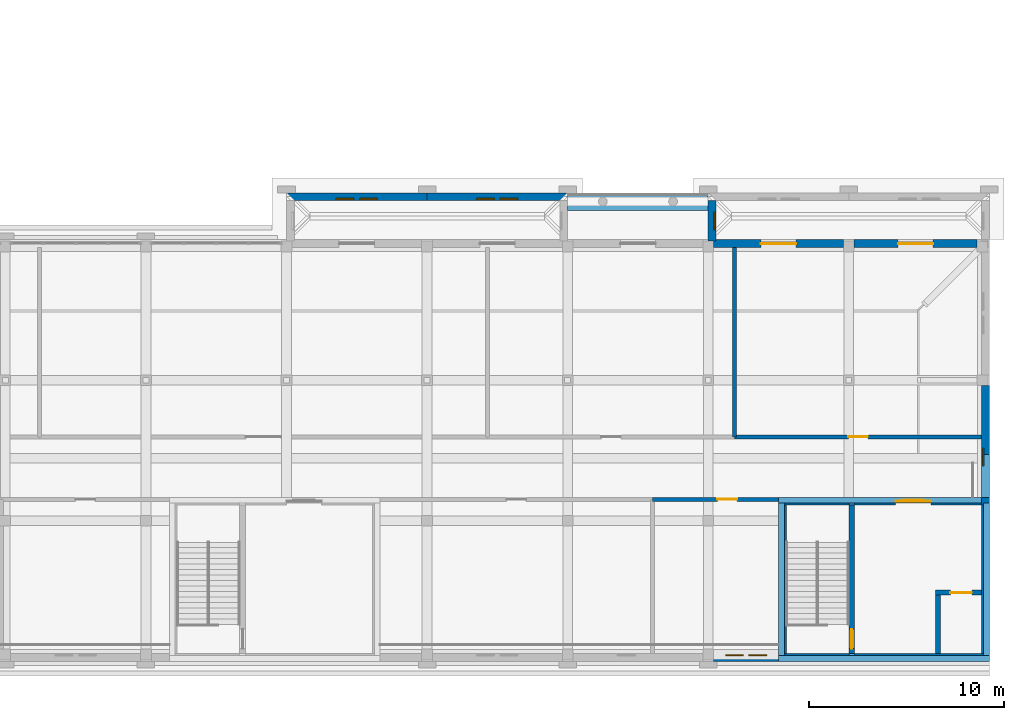
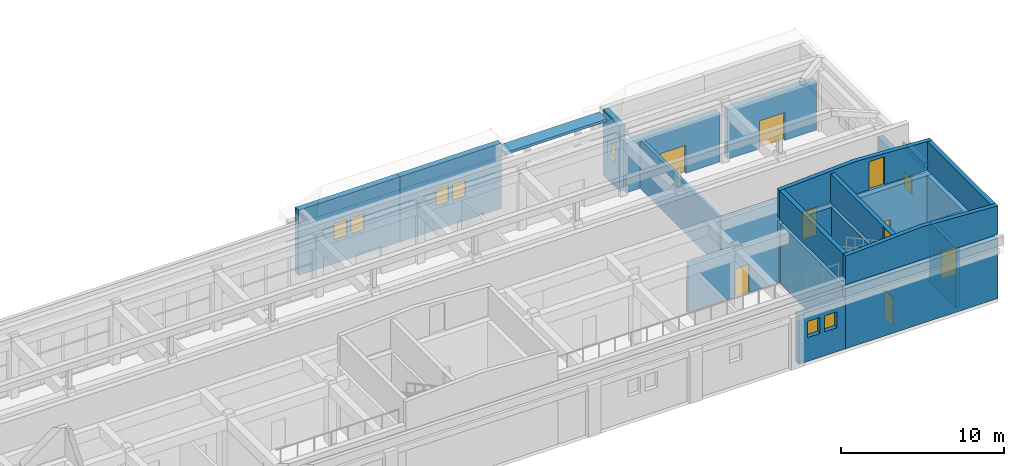
# One storey, part 38 of 48: 24 walls, 9 doors, 8 windows, 17 openings.
"""IFC4 building model written with IfcOpenShell, lengths in metres."""

from ifc_helpers import new_model, si_unit, direction, frame, frame_2d, origin, place, context, subcontext, project, spatial, polyline, rectangle, outline, extrude, material, layer, layer_set, type_object, element, fill, save


model = new_model("IFC4")

# Units and contexts
model_context = context("Model", 3, precision=1e-05, world=origin(), true_north=direction((0.0, 1.0)))
body_context = subcontext(model_context, "Body", "Model", "MODEL_VIEW")
ifc_project = project(units=[si_unit("LENGTHUNIT", "METRE"), si_unit("AREAUNIT", "SQUARE_METRE"), si_unit("VOLUMEUNIT", "CUBIC_METRE"), si_unit("PLANEANGLEUNIT", "RADIAN"), si_unit("MASSUNIT", "GRAM", prefix="KILO")], contexts=[model_context])

# Site, building, storey
site_placement = place(None, origin())
site = spatial("IfcSite", under=ifc_project, at=site_placement, CompositionType="ELEMENT")
building_placement = place(site_placement, origin())
building = spatial("IfcBuilding", under=site, at=building_placement, Name="Alderwick Market Hall", CompositionType="ELEMENT")
storey_placement = place(building_placement, frame((0.0, 0.0, 14.39990234375)))
storey = spatial("IfcBuildingStorey", under=building, at=storey_placement, Name="L02", CompositionType="ELEMENT", Elevation=14.39990234375)

# Wall, opening, door
ifc_material_1 = material(Name="Face brick", Category="masonry")
ifc_layer_1 = layer(ifc_material_1, 0.39990234375)
ifc_layer_set_1 = layer_set([ifc_layer_1], Name="Face brick")
wall_type_1 = type_object("IfcWallType", Name="C Brick Pier Wall 400", PredefinedType="SOLIDWALL", material=ifc_layer_set_1)
wall_1_placement = place(storey_placement, frame((216.27490234375, 28.60009765625, 0.0), z_axis=(0.0, 0.0, 1.0), x_axis=(1.0, 0.0, 0.0)))
wall_1 = element("IfcWall", 1, at=wall_1_placement, inside=storey, type_object=wall_type_1, Name="C.wall.L02.fac.front.10", PredefinedType="SOLIDWALL", context=body_context, shape_type="SweptSolid", body=[
    extrude(rectangle(XDim=6.650146484375, YDim=0.39990234375, at=frame_2d((3.3251953125, 0.0))), origin(), (0.0, 0.0, 1.0), 3.7001953125),
])
opening_1_placement = place(wall_1_placement, frame((2.425048828125, 0.0, 0.0)))
opening_1 = element("IfcOpeningElement", 2, at=opening_1_placement, cuts=wall_1, Name="Opening C-D017", PredefinedType="OPENING", context=body_context, shape_type="SweptSolid", body=[
    extrude(rectangle(XDim=1.800048828125, YDim=2.10009765625, at=frame_2d((0.89990234375, 1.050048828125))), frame((0.0, 0.2099609375, 0.0), z_axis=(0.0, -1.0, 0.0), x_axis=(1.0, 0.0, 0.0)), (0.0, 0.0, 1.0), 0.419921875),
])
ifc_material_2 = material(Name="Timber, solid core", Category="wood")
door_type_1 = type_object("IfcDoorType", Name="C Door Pair 1800x2100", OperationType="NOTDEFINED", PredefinedType="DOOR", material=ifc_material_2)
door_1_placement = place(opening_1_placement, origin())
door_1 = element("IfcDoor", 3, at=door_1_placement, inside=storey, type_object=door_type_1, Name="C.door.L02.017", OperationType="NOTDEFINED", OverallHeight=2.10009765625, OverallWidth=1.800048828125, PredefinedType="DOOR", context=body_context, shape_type="SweptSolid", body=[
    extrude(rectangle(XDim=1.800048828125, YDim=2.10009765625, at=frame_2d((0.89990234375, 1.050048828125))), frame((0.0, 0.02490234375, 0.0), z_axis=(0.0, -1.0, 0.0), x_axis=(1.0, 0.0, 0.0)), (0.0, 0.0, 1.0), 0.050048828125),
])
fill(opening_1, door_1)

wall_2_placement = place(storey_placement, frame((223.47509765625, 28.60009765625, 0.0), z_axis=(0.0, 0.0, 1.0), x_axis=(1.0, 0.0, 0.0)))
wall_2 = element("IfcWall", 4, at=wall_2_placement, inside=storey, type_object=wall_type_1, Name="C.wall.L02.fac.front.11", PredefinedType="SOLIDWALL", context=body_context, shape_type="SweptSolid", body=[
    extrude(rectangle(XDim=6.2998046875, YDim=0.39990234375, at=frame_2d((3.14990234375, 0.0))), origin(), (0.0, 0.0, 1.0), 3.7001953125),
])
opening_2_placement = place(wall_2_placement, frame((2.25, 0.0, 0.0)))
opening_2 = element("IfcOpeningElement", 5, at=opening_2_placement, cuts=wall_2, Name="Opening C-D018", PredefinedType="OPENING", context=body_context, shape_type="SweptSolid", body=[
    extrude(rectangle(XDim=1.800048828125, YDim=2.10009765625, at=frame_2d((0.89990234375, 1.050048828125))), frame((0.0, 0.2099609375, 0.0), z_axis=(0.0, -1.0, 0.0), x_axis=(1.0, 0.0, 0.0)), (0.0, 0.0, 1.0), 0.419921875),
])
door_2_placement = place(opening_2_placement, origin())
door_2 = element("IfcDoor", 6, at=door_2_placement, inside=storey, type_object=door_type_1, Name="C.door.L02.018", OperationType="NOTDEFINED", OverallHeight=2.10009765625, OverallWidth=1.800048828125, PredefinedType="DOOR", context=body_context, shape_type="SweptSolid", body=[
    extrude(rectangle(XDim=1.800048828125, YDim=2.10009765625, at=frame_2d((0.89990234375, 1.050048828125))), frame((0.0, 0.02490234375, 0.0), z_axis=(0.0, -1.0, 0.0), x_axis=(1.0, 0.0, 0.0)), (0.0, 0.0, 1.0), 0.050048828125),
])
fill(opening_2, door_2)

# Wall, openings, windows
wall_3_placement = place(storey_placement, frame((219.60009765625, 7.39990234375, 0.0), z_axis=(0.0, 0.0, 1.0), x_axis=(-1.0, 0.0, 0.0)))
wall_3 = element("IfcWall", 7, at=wall_3_placement, inside=storey, type_object=wall_type_1, Name="C.wall.L02.fac.back.10", PredefinedType="SOLIDWALL", context=body_context, shape_type="SweptSolid", body=[
    extrude(rectangle(XDim=3.3251953125, YDim=0.39990234375, at=frame_2d((1.66259765625, 0.0))), origin(), (0.0, 0.0, 1.0), 3.7001953125),
])
opening_3_placement = place(wall_3_placement, frame((0.612548828125, 0.0, 1.800048828125)))
opening_3 = element("IfcOpeningElement", 8, at=opening_3_placement, cuts=wall_3, Name="Opening C-W065", PredefinedType="OPENING", context=body_context, shape_type="SweptSolid", body=[
    extrude(rectangle(XDim=0.89990234375, YDim=1.199951171875, at=frame_2d((0.449951171875, 0.60009765625))), frame((0.0, 0.2099609375, 0.0), z_axis=(0.0, -1.0, 0.0), x_axis=(1.0, 0.0, 0.0)), (0.0, 0.0, 1.0), 0.419921875),
])
opening_4_placement = place(wall_3_placement, frame((1.8125, 0.0, 1.800048828125)))
opening_4 = element("IfcOpeningElement", 9, at=opening_4_placement, cuts=wall_3, Name="Opening C-W066", PredefinedType="OPENING", context=body_context, shape_type="SweptSolid", body=[
    extrude(rectangle(XDim=0.89990234375, YDim=1.199951171875, at=frame_2d((0.449951171875, 0.60009765625))), frame((0.0, 0.2099609375, 0.0), z_axis=(0.0, -1.0, 0.0), x_axis=(1.0, 0.0, 0.0)), (0.0, 0.0, 1.0), 0.419921875),
])
ifc_material_3 = material(Name="Aluminium frame, double glazing", Category="aluminium")
window_type = type_object("IfcWindowType", Name="C Paired Attic Window 900x1200", PartitioningType="SINGLE_PANEL", PredefinedType="WINDOW", material=ifc_material_3)
window_1_placement = place(opening_3_placement, origin())
window_1 = element("IfcWindow", 10, at=window_1_placement, inside=storey, type_object=window_type, Name="C.win.L02.065", OverallHeight=1.199951171875, OverallWidth=0.89990234375, PartitioningType="SINGLE_PANEL", PredefinedType="WINDOW", context=body_context, shape_type="SweptSolid", body=[
    extrude(rectangle(XDim=0.89990234375, YDim=1.199951171875, at=frame_2d((0.449951171875, 0.60009765625))), frame((0.0, -0.090087890625, 0.0), z_axis=(0.0, -1.0, 0.0), x_axis=(1.0, 0.0, 0.0)), (0.0, 0.0, 1.0), 0.06005859375),
])
fill(opening_3, window_1)
window_2_placement = place(opening_4_placement, origin())
window_2 = element("IfcWindow", 11, at=window_2_placement, inside=storey, type_object=window_type, Name="C.win.L02.066", OverallHeight=1.199951171875, OverallWidth=0.89990234375, PartitioningType="SINGLE_PANEL", PredefinedType="WINDOW", context=body_context, shape_type="SweptSolid", body=[
    extrude(rectangle(XDim=0.89990234375, YDim=1.199951171875, at=frame_2d((0.449951171875, 0.60009765625))), frame((0.0, -0.090087890625, 0.0), z_axis=(0.0, -1.0, 0.0), x_axis=(1.0, 0.0, 0.0)), (0.0, 0.0, 1.0), 0.06005859375),
])
fill(opening_4, window_2)

wall_4_placement = place(storey_placement, frame((194.39990234375, 31.0, 0.0), z_axis=(0.0, 0.0, 1.0), x_axis=(1.0, 0.0, 0.0)))
wall_4 = element("IfcWall", 12, at=wall_4_placement, inside=storey, type_object=wall_type_1, Name="C.wall.L02.pav1.front.01", PredefinedType="SOLIDWALL", context=body_context, shape_type="SweptSolid", body=[
    extrude(rectangle(XDim=7.2001953125, YDim=0.39990234375, at=frame_2d((3.60009765625, 0.0))), origin(), (0.0, 0.0, 1.0), 4.892578125),
])
opening_5_placement = place(wall_4_placement, frame((2.550048828125, 0.0, 1.800048828125)))
opening_5 = element("IfcOpeningElement", 13, at=opening_5_placement, cuts=wall_4, Name="Opening C-W082", PredefinedType="OPENING", context=body_context, shape_type="SweptSolid", body=[
    extrude(rectangle(XDim=0.89990234375, YDim=1.199951171875, at=frame_2d((0.449951171875, 0.60009765625))), frame((0.0, 0.2099609375, 0.0), z_axis=(0.0, -1.0, 0.0), x_axis=(1.0, 0.0, 0.0)), (0.0, 0.0, 1.0), 0.419921875),
])
opening_6_placement = place(wall_4_placement, frame((3.75, 0.0, 1.800048828125)))
opening_6 = element("IfcOpeningElement", 14, at=opening_6_placement, cuts=wall_4, Name="Opening C-W083", PredefinedType="OPENING", context=body_context, shape_type="SweptSolid", body=[
    extrude(rectangle(XDim=0.89990234375, YDim=1.199951171875, at=frame_2d((0.449951171875, 0.60009765625))), frame((0.0, 0.2099609375, 0.0), z_axis=(0.0, -1.0, 0.0), x_axis=(1.0, 0.0, 0.0)), (0.0, 0.0, 1.0), 0.419921875),
])
window_3_placement = place(opening_5_placement, origin())
window_3 = element("IfcWindow", 15, at=window_3_placement, inside=storey, type_object=window_type, Name="C.win.L02.082", OverallHeight=1.199951171875, OverallWidth=0.89990234375, PartitioningType="SINGLE_PANEL", PredefinedType="WINDOW", context=body_context, shape_type="SweptSolid", body=[
    extrude(rectangle(XDim=0.89990234375, YDim=1.199951171875, at=frame_2d((0.449951171875, 0.60009765625))), frame((0.0, -0.090087890625, 0.0), z_axis=(0.0, -1.0, 0.0), x_axis=(1.0, 0.0, 0.0)), (0.0, 0.0, 1.0), 0.06005859375),
])
fill(opening_5, window_3)
window_4_placement = place(opening_6_placement, origin())
window_4 = element("IfcWindow", 16, at=window_4_placement, inside=storey, type_object=window_type, Name="C.win.L02.083", OverallHeight=1.199951171875, OverallWidth=0.89990234375, PartitioningType="SINGLE_PANEL", PredefinedType="WINDOW", context=body_context, shape_type="SweptSolid", body=[
    extrude(rectangle(XDim=0.89990234375, YDim=1.199951171875, at=frame_2d((0.449951171875, 0.60009765625))), frame((0.0, -0.090087890625, 0.0), z_axis=(0.0, -1.0, 0.0), x_axis=(1.0, 0.0, 0.0)), (0.0, 0.0, 1.0), 0.06005859375),
])
fill(opening_6, window_4)

wall_5_placement = place(storey_placement, frame((201.60009765625, 31.0, 0.0), z_axis=(0.0, 0.0, 1.0), x_axis=(1.0, 0.0, 0.0)))
wall_5 = element("IfcWall", 17, at=wall_5_placement, inside=storey, type_object=wall_type_1, Name="C.wall.L02.pav1.front.02", PredefinedType="SOLIDWALL", context=body_context, shape_type="SweptSolid", body=[
    extrude(rectangle(XDim=7.199951171875, YDim=0.39990234375, at=frame_2d((3.60009765625, 0.0))), origin(), (0.0, 0.0, 1.0), 4.892578125),
])
opening_7_placement = place(wall_5_placement, frame((2.550048828125, 0.0, 1.800048828125)))
opening_7 = element("IfcOpeningElement", 18, at=opening_7_placement, cuts=wall_5, Name="Opening C-W084", PredefinedType="OPENING", context=body_context, shape_type="SweptSolid", body=[
    extrude(rectangle(XDim=0.89990234375, YDim=1.199951171875, at=frame_2d((0.449951171875, 0.60009765625))), frame((0.0, 0.2099609375, 0.0), z_axis=(0.0, -1.0, 0.0), x_axis=(1.0, 0.0, 0.0)), (0.0, 0.0, 1.0), 0.419921875),
])
opening_8_placement = place(wall_5_placement, frame((3.75, 0.0, 1.800048828125)))
opening_8 = element("IfcOpeningElement", 19, at=opening_8_placement, cuts=wall_5, Name="Opening C-W085", PredefinedType="OPENING", context=body_context, shape_type="SweptSolid", body=[
    extrude(rectangle(XDim=0.89990234375, YDim=1.199951171875, at=frame_2d((0.449951171875, 0.60009765625))), frame((0.0, 0.2099609375, 0.0), z_axis=(0.0, -1.0, 0.0), x_axis=(1.0, 0.0, 0.0)), (0.0, 0.0, 1.0), 0.419921875),
])
window_5_placement = place(opening_7_placement, origin())
window_5 = element("IfcWindow", 20, at=window_5_placement, inside=storey, type_object=window_type, Name="C.win.L02.084", OverallHeight=1.199951171875, OverallWidth=0.89990234375, PartitioningType="SINGLE_PANEL", PredefinedType="WINDOW", context=body_context, shape_type="SweptSolid", body=[
    extrude(rectangle(XDim=0.89990234375, YDim=1.199951171875, at=frame_2d((0.449951171875, 0.60009765625))), frame((0.0, -0.090087890625, 0.0), z_axis=(0.0, -1.0, 0.0), x_axis=(1.0, 0.0, 0.0)), (0.0, 0.0, 1.0), 0.06005859375),
])
fill(opening_7, window_5)
window_6_placement = place(opening_8_placement, origin())
window_6 = element("IfcWindow", 21, at=window_6_placement, inside=storey, type_object=window_type, Name="C.win.L02.085", OverallHeight=1.199951171875, OverallWidth=0.89990234375, PartitioningType="SINGLE_PANEL", PredefinedType="WINDOW", context=body_context, shape_type="SweptSolid", body=[
    extrude(rectangle(XDim=0.89990234375, YDim=1.199951171875, at=frame_2d((0.449951171875, 0.60009765625))), frame((0.0, -0.090087890625, 0.0), z_axis=(0.0, -1.0, 0.0), x_axis=(1.0, 0.0, 0.0)), (0.0, 0.0, 1.0), 0.06005859375),
])
fill(opening_8, window_6)

# Wall, opening, window
wall_6_placement = place(storey_placement, frame((216.199951171875, 28.72509765625, 0.0), z_axis=(0.0, 0.0, 1.0), x_axis=(0.0, 1.0, 0.0)))
wall_6 = element("IfcWall", 22, at=wall_6_placement, inside=storey, type_object=wall_type_1, Name="C.wall.L02.pav2.west.01", PredefinedType="SOLIDWALL", context=body_context, shape_type="SweptSolid", body=[
    extrude(rectangle(XDim=2.074951171875, YDim=0.39990234375, at=frame_2d((1.03759765625, 0.0))), origin(), (0.0, 0.0, 1.0), 4.892578125),
])
opening_9_placement = place(wall_6_placement, frame((0.58740234375, 0.0, 1.800048828125)))
opening_9 = element("IfcOpeningElement", 23, at=opening_9_placement, cuts=wall_6, Name="Opening C-W104", PredefinedType="OPENING", context=body_context, shape_type="SweptSolid", body=[
    extrude(rectangle(XDim=0.89990234375, YDim=1.199951171875, at=frame_2d((0.449951171875, 0.60009765625))), frame((0.0, 0.2099609375, 0.0), z_axis=(0.0, -1.0, 0.0), x_axis=(1.0, 0.0, 0.0)), (0.0, 0.0, 1.0), 0.419921875),
])
window_7_placement = place(opening_9_placement, origin())
window_7 = element("IfcWindow", 24, at=window_7_placement, inside=storey, type_object=window_type, Name="C.win.L02.104", OverallHeight=1.199951171875, OverallWidth=0.89990234375, PartitioningType="SINGLE_PANEL", PredefinedType="WINDOW", context=body_context, shape_type="SweptSolid", body=[
    extrude(rectangle(XDim=0.89990234375, YDim=1.199951171875, at=frame_2d((0.449951171875, 0.60009765625))), frame((0.0, -0.090087890625, 0.0), z_axis=(0.0, -1.0, 0.0), x_axis=(1.0, 0.0, 0.0)), (0.0, 0.0, 1.0), 0.06005859375),
])
fill(opening_9, window_7)

# Walls
ifc_material_4 = material(Name="Concrete 5000 psi (f'c 35 MPa)", Category="concrete")
ifc_layer_2 = layer(ifc_material_4, 0.39990234375)
ifc_layer_set_2 = layer_set([ifc_layer_2], Name="Concrete 5000 psi (f'c 35 MPa)")
wall_type_2 = type_object("IfcWallType", Name="C Core Wall Concrete 5000 psi 400", PredefinedType="SHEAR", material=ifc_layer_set_2)
wall_7_placement = place(storey_placement, frame((230.39990234375, 7.39990234375, 0.0), z_axis=(0.0, 0.0, 1.0), x_axis=(-1.0, 0.0, 0.0)))
element("IfcWall", 25, at=wall_7_placement, inside=storey, type_object=wall_type_2, Name="C.wall.L02.fac.back.11", PredefinedType="SHEAR", context=body_context, shape_type="SweptSolid", body=[
    extrude(rectangle(XDim=10.7998046875, YDim=0.39990234375, at=frame_2d((5.39990234375, 0.0))), origin(), (0.0, 0.0, 1.0), 4.5),
])
wall_8_placement = place(storey_placement, frame((230.199951171875, 15.199951171875, 0.0), z_axis=(0.0, 0.0, 1.0), x_axis=(0.0, -1.0, 0.0)))
element("IfcWall", 26, at=wall_8_placement, inside=storey, type_object=wall_type_2, Name="C.wall.L02.fac.east.04", PredefinedType="SHEAR", context=body_context, shape_type="SweptSolid", body=[
    extrude(rectangle(XDim=7.599853515625, YDim=0.39990234375, at=frame_2d((3.7998046875, 0.0))), origin(), (0.0, 0.0, 1.0), 4.5),
])

# Wall, opening, door
wall_9_placement = place(storey_placement, frame((219.60009765625, 15.39990234375, 0.0), z_axis=(0.0, 0.0, 1.0), x_axis=(1.0, 0.0, 0.0)))
wall_9 = element("IfcWall", 27, at=wall_9_placement, inside=storey, type_object=wall_type_2, Name="C.wall.L02.core.C.front.01", PredefinedType="SHEAR", context=body_context, shape_type="SweptSolid", body=[
    extrude(rectangle(XDim=10.7998046875, YDim=0.39990234375, at=frame_2d((5.39990234375, 0.0))), origin(), (0.0, 0.0, 1.0), 4.5),
])
opening_10_placement = place(wall_9_placement, frame((6.0, 0.0, 0.0)))
opening_10 = element("IfcOpeningElement", 28, at=opening_10_placement, cuts=wall_9, Name="Opening C-D078", PredefinedType="OPENING", context=body_context, shape_type="SweptSolid", body=[
    extrude(rectangle(XDim=1.800048828125, YDim=2.10009765625, at=frame_2d((0.89990234375, 1.050048828125))), frame((0.0, 0.2099609375, 0.0), z_axis=(0.0, -1.0, 0.0), x_axis=(1.0, 0.0, 0.0)), (0.0, 0.0, 1.0), 0.419921875),
])
ifc_material_5 = material(Name="Steel, insulated", Category="steel")
door_type_2 = type_object("IfcDoorType", Name="C Fire Door Pair FD90 1800x2100", OperationType="NOTDEFINED", PredefinedType="DOOR", material=ifc_material_5)
door_3_placement = place(opening_10_placement, origin())
door_3 = element("IfcDoor", 29, at=door_3_placement, inside=storey, type_object=door_type_2, Name="C.door.L02.078", OperationType="NOTDEFINED", OverallHeight=2.10009765625, OverallWidth=1.800048828125, PredefinedType="DOOR", context=body_context, shape_type="SweptSolid", body=[
    extrude(rectangle(XDim=1.800048828125, YDim=2.10009765625, at=frame_2d((0.89990234375, 1.050048828125))), frame((0.0, 0.02490234375, 0.0), z_axis=(0.0, -1.0, 0.0), x_axis=(1.0, 0.0, 0.0)), (0.0, 0.0, 1.0), 0.050048828125),
])
fill(opening_10, door_3)

# Wall
wall_10_placement = place(storey_placement, frame((219.800048828125, 15.199951171875, 0.0), z_axis=(0.0, 0.0, 1.0), x_axis=(0.0, -1.0, 0.0)))
element("IfcWall", 30, at=wall_10_placement, inside=storey, type_object=wall_type_2, Name="C.wall.L02.core.C.west.01", PredefinedType="SHEAR", context=body_context, shape_type="SweptSolid", body=[
    extrude(rectangle(XDim=7.599853515625, YDim=0.39990234375, at=frame_2d((3.7998046875, 0.0))), origin(), (0.0, 0.0, 1.0), 4.5),
])

# Wall, opening, window
ifc_layer_3 = layer(ifc_material_4, 0.39990234375)
ifc_layer_set_3 = layer_set([ifc_layer_3], Name="Concrete 5000 psi (f'c 35 MPa)")
wall_type_3 = type_object("IfcWallType", Name="C End Shear Wall Concrete 5000 psi 400", PredefinedType="SHEAR", material=ifc_layer_set_3)
wall_11_placement = place(storey_placement, frame((230.199951171875, 21.324951171875, 0.0), z_axis=(0.0, 0.0, 1.0), x_axis=(0.0, -1.0, 0.0)))
wall_11 = element("IfcWall", 31, at=wall_11_placement, inside=storey, type_object=wall_type_3, Name="C.wall.L02.fac.east.03", PredefinedType="SHEAR", context=body_context, shape_type="SweptSolid", body=[
    extrude(rectangle(XDim=6.125, YDim=0.39990234375, at=frame_2d((3.0625, 0.0))), origin(), (0.0, 0.0, 1.0), 3.7001953125),
])
opening_11_placement = place(wall_11_placement, frame((3.21240234375, 0.0, 1.800048828125)))
opening_11 = element("IfcOpeningElement", 32, at=opening_11_placement, cuts=wall_11, Name="Opening C-W069", PredefinedType="OPENING", context=body_context, shape_type="SweptSolid", body=[
    extrude(rectangle(XDim=0.89990234375, YDim=1.199951171875, at=frame_2d((0.449951171875, 0.60009765625))), frame((0.0, 0.2099609375, 0.0), z_axis=(0.0, -1.0, 0.0), x_axis=(1.0, 0.0, 0.0)), (0.0, 0.0, 1.0), 0.419921875),
])
window_8_placement = place(opening_11_placement, origin())
window_8 = element("IfcWindow", 33, at=window_8_placement, inside=storey, type_object=window_type, Name="C.win.L02.069", OverallHeight=1.199951171875, OverallWidth=0.89990234375, PartitioningType="SINGLE_PANEL", PredefinedType="WINDOW", context=body_context, shape_type="SweptSolid", body=[
    extrude(rectangle(XDim=0.89990234375, YDim=1.199951171875, at=frame_2d((0.449951171875, 0.60009765625))), frame((0.0, -0.090087890625, 0.0), z_axis=(0.0, -1.0, 0.0), x_axis=(1.0, 0.0, 0.0)), (0.0, 0.0, 1.0), 0.06005859375),
])
fill(opening_11, window_8)

# Wall, opening, door
ifc_layer_4 = layer(ifc_material_4, 0.300048828125)
ifc_layer_set_4 = layer_set([ifc_layer_4], Name="Concrete 5000 psi (f'c 35 MPa)")
wall_type_4 = type_object("IfcWallType", Name="C Head-house Wall Concrete 5000 psi 300", PredefinedType="SOLIDWALL", material=ifc_layer_set_4)
wall_12_placement = place(storey_placement, frame((219.60009765625, 15.449951171875, 4.800048828125), z_axis=(0.0, 0.0, 1.0), x_axis=(1.0, 0.0, 0.0)))
wall_12 = element("IfcWall", 34, at=wall_12_placement, inside=storey, type_object=wall_type_4, Name="C.wall.L02.head.C.front.01", PredefinedType="SOLIDWALL", context=body_context, shape_type="SweptSolid", body=[
    extrude(outline(polyline([(0.0, 0.0), (10.7998046875, 0.0), (10.800048828125, 2.150146484375), (5.39990234375, 2.449951171875), (0.0, 2.150146484375), (0.0, 0.0)])), frame((0.0, 0.14990234375, 0.0), z_axis=(0.0, -1.0, 0.0), x_axis=(1.0, 0.0, 0.0)), (0.0, 0.0, 1.0), 0.300048828125),
])
opening_12_placement = place(wall_12_placement, frame((6.35009765625, 0.0, 0.0)))
opening_12 = element("IfcOpeningElement", 35, at=opening_12_placement, cuts=wall_12, Name="Opening C-D095", PredefinedType="OPENING", context=body_context, shape_type="SweptSolid", body=[
    extrude(rectangle(XDim=1.10009765625, YDim=2.10009765625, at=frame_2d((0.550048828125, 1.050048828125))), frame((0.0, 0.159912109375, 0.0), z_axis=(0.0, -1.0, 0.0), x_axis=(1.0, 0.0, 0.0)), (0.0, 0.0, 1.0), 0.320068359375),
])
door_type_3 = type_object("IfcDoorType", Name="C Exit Door FD60 1100x2100", OperationType="NOTDEFINED", PredefinedType="DOOR", material=ifc_material_5)
door_4_placement = place(opening_12_placement, origin())
door_4 = element("IfcDoor", 36, at=door_4_placement, inside=storey, type_object=door_type_3, Name="C.door.L02.095", OperationType="NOTDEFINED", OverallHeight=2.10009765625, OverallWidth=1.10009765625, PredefinedType="DOOR", context=body_context, shape_type="SweptSolid", body=[
    extrude(rectangle(XDim=1.10009765625, YDim=2.10009765625, at=frame_2d((0.550048828125, 1.050048828125))), frame((0.0, 0.02490234375, 0.0), z_axis=(0.0, -1.0, 0.0), x_axis=(1.0, 0.0, 0.0)), (0.0, 0.0, 1.0), 0.050048828125),
])
fill(opening_12, door_4)

# Walls
wall_13_placement = place(storey_placement, frame((219.60009765625, 7.35009765625, 4.800048828125), z_axis=(0.0, 0.0, 1.0), x_axis=(1.0, 0.0, 0.0)))
element("IfcWall", 37, at=wall_13_placement, inside=storey, type_object=wall_type_4, Name="C.wall.L02.head.C.back.01", PredefinedType="SOLIDWALL", context=body_context, shape_type="SweptSolid", body=[
    extrude(outline(polyline([(0.0, 0.0), (10.7998046875, 0.0), (10.800048828125, 2.150146484375), (5.39990234375, 2.449951171875), (0.0, 2.150146484375), (0.0, 0.0)])), frame((0.0, 0.14990234375, 0.0), z_axis=(0.0, -1.0, 0.0), x_axis=(1.0, 0.0, 0.0)), (0.0, 0.0, 1.0), 0.300048828125),
])
for number, where, z_axis, x_axis, name in (
    (38, (219.75, 15.300048828125, 4.800048828125), (0.0, 0.0, 1.0), (0.0, -1.0, 0.0), "C.wall.L02.head.C.west.01"),
    (39, (230.25, 15.300048828125, 4.800048828125), (0.0, 0.0, 1.0), (0.0, -1.0, 0.0), "C.wall.L02.head.C.east.01"),
):
    element("IfcWall", number, at=place(storey_placement, frame(where, z_axis=z_axis, x_axis=x_axis)), inside=storey, type_object=wall_type_4, Name=name, PredefinedType="SOLIDWALL", context=body_context, shape_type="SweptSolid", body=[
        extrude(rectangle(XDim=7.800048828125, YDim=0.300048828125, at=frame_2d((3.89990234375, 0.0))), origin(), (0.0, 0.0, 1.0), 2.150146484375),
    ])

# Wall, opening, door
wall_14_placement = place(storey_placement, frame((223.35009765625, 15.300048828125, 4.800048828125), z_axis=(0.0, 0.0, 1.0), x_axis=(0.0, -1.0, 0.0)))
wall_14 = element("IfcWall", 40, at=wall_14_placement, inside=storey, type_object=wall_type_4, Name="C.wall.L02.head.C.div.01", PredefinedType="SOLIDWALL", context=body_context, shape_type="SweptSolid", body=[
    extrude(rectangle(XDim=7.800048828125, YDim=0.300048828125, at=frame_2d((3.89990234375, 0.0))), origin(), (0.0, 0.0, 1.0), 2.150146484375),
])
opening_13_placement = place(wall_14_placement, frame((6.449951171875, 0.0, 0.0)))
opening_13 = element("IfcOpeningElement", 41, at=opening_13_placement, cuts=wall_14, Name="Opening C-D094", PredefinedType="OPENING", context=body_context, shape_type="SweptSolid", body=[
    extrude(rectangle(XDim=1.0, YDim=2.10009765625, at=frame_2d((0.5, 1.050048828125))), frame((0.0, 0.159912109375, 0.0), z_axis=(0.0, -1.0, 0.0), x_axis=(1.0, 0.0, 0.0)), (0.0, 0.0, 1.0), 0.320068359375),
])
door_type_4 = type_object("IfcDoorType", Name="C Fire Door FD90 1000x2100", OperationType="NOTDEFINED", PredefinedType="DOOR", material=ifc_material_5)
door_5_placement = place(opening_13_placement, origin())
door_5 = element("IfcDoor", 42, at=door_5_placement, inside=storey, type_object=door_type_4, Name="C.door.L02.094", OperationType="NOTDEFINED", OverallHeight=2.10009765625, OverallWidth=1.0, PredefinedType="DOOR", context=body_context, shape_type="SweptSolid", body=[
    extrude(rectangle(XDim=1.0, YDim=2.10009765625, at=frame_2d((0.5, 1.050048828125))), frame((0.0, 0.02490234375, 0.0), z_axis=(0.0, -1.0, 0.0), x_axis=(1.0, 0.0, 0.0)), (0.0, 0.0, 1.0), 0.050048828125),
])
fill(opening_13, door_5)

# Wall
ifc_layer_5 = layer(ifc_material_4, 0.25)
ifc_layer_set_5 = layer_set([ifc_layer_5], Name="Concrete 5000 psi (f'c 35 MPa)")
wall_type_5 = type_object("IfcWallType", Name="C Lift Shaft Wall Concrete 5000 psi 250", PredefinedType="SHEAR", material=ifc_layer_set_5)
wall_15_placement = place(storey_placement, frame((227.77490234375, 10.85009765625, 0.0), z_axis=(0.0, 0.0, 1.0), x_axis=(0.0, -1.0, 0.0)))
element("IfcWall", 43, at=wall_15_placement, inside=storey, type_object=wall_type_5, Name="C.wall.L02.core.C.shaftw.01", PredefinedType="SHEAR", context=body_context, shape_type="SweptSolid", body=[
    extrude(rectangle(XDim=3.25, YDim=0.25, at=frame_2d((1.625, 0.0))), origin(), (0.0, 0.0, 1.0), 4.5),
])

# Wall, opening, door
wall_16_placement = place(storey_placement, frame((227.64990234375, 10.72509765625, 0.0), z_axis=(0.0, 0.0, 1.0), x_axis=(1.0, 0.0, 0.0)))
wall_16 = element("IfcWall", 44, at=wall_16_placement, inside=storey, type_object=wall_type_5, Name="C.wall.L02.core.C.shaftf.01", PredefinedType="SHEAR", context=body_context, shape_type="SweptSolid", body=[
    extrude(rectangle(XDim=2.35009765625, YDim=0.25, at=frame_2d((1.175048828125, 0.0))), origin(), (0.0, 0.0, 1.0), 4.5),
])
opening_14_placement = place(wall_16_placement, frame((0.75, 0.0, 0.0)))
opening_14 = element("IfcOpeningElement", 45, at=opening_14_placement, cuts=wall_16, Name="Opening C-D079", PredefinedType="OPENING", context=body_context, shape_type="SweptSolid", body=[
    extrude(rectangle(XDim=1.10009765625, YDim=2.10009765625, at=frame_2d((0.550048828125, 1.050048828125))), frame((0.0, 0.135009765625, 0.0), z_axis=(0.0, -1.0, 0.0), x_axis=(1.0, 0.0, 0.0)), (0.0, 0.0, 1.0), 0.27001953125),
])
ifc_material_6 = material(Name="Stainless steel", Category="steel")
door_type_5 = type_object("IfcDoorType", Name="C Lift Landing Door 1100x2100", OperationType="SLIDING_TO_LEFT", PredefinedType="DOOR", material=ifc_material_6)
door_6_placement = place(opening_14_placement, origin())
door_6 = element("IfcDoor", 46, at=door_6_placement, inside=storey, type_object=door_type_5, Name="C.door.L02.079", OperationType="SLIDING_TO_LEFT", OverallHeight=2.10009765625, OverallWidth=1.10009765625, PredefinedType="DOOR", context=body_context, shape_type="SweptSolid", body=[
    extrude(rectangle(XDim=1.10009765625, YDim=2.10009765625, at=frame_2d((0.550048828125, 1.050048828125))), frame((0.0, 0.02490234375, 0.0), z_axis=(0.0, -1.0, 0.0), x_axis=(1.0, 0.0, 0.0)), (0.0, 0.0, 1.0), 0.050048828125),
])
fill(opening_14, door_6)

# Wall
ifc_material_7 = material(Name="Cast stone 5000 psi", Category="masonry")
ifc_layer_6 = layer(ifc_material_7, 0.89990234375)
ifc_layer_set_6 = layer_set([ifc_layer_6], Name="Cast stone 5000 psi")
wall_type_6 = type_object("IfcWallType", Name="C Loggia Cornice Cast Stone 900x200", PredefinedType="SOLIDWALL", material=ifc_layer_set_6)
wall_17_placement = place(storey_placement, frame((208.800048828125, 30.75, 4.300048828125), z_axis=(0.0, 0.0, 1.0), x_axis=(1.0, 0.0, 0.0)))
element("IfcWall", 47, at=wall_17_placement, inside=storey, type_object=wall_type_6, Name="C.wall.L02.loggia.cornice.01", PredefinedType="SOLIDWALL", context=body_context, shape_type="SweptSolid", body=[
    extrude(rectangle(XDim=7.199951171875, YDim=0.89990234375, at=frame_2d((3.60009765625, 0.0))), origin(), (0.0, 0.0, 1.0), 0.199951171875),
])

# Wall, opening, door
ifc_material_8 = material(Name="Gypsum board on steel studs", Category="steel")
ifc_layer_7 = layer(ifc_material_8, 0.199951171875)
ifc_layer_set_7 = layer_set([ifc_layer_7], Name="Gypsum board on steel studs")
wall_type_7 = type_object("IfcWallType", Name="C Partition Wall 200", PredefinedType="PARTITIONING", material=ifc_layer_set_7)
wall_18_placement = place(storey_placement, frame((217.35009765625, 18.699951171875, 0.0), z_axis=(0.0, 0.0, 1.0), x_axis=(1.0, 0.0, 0.0)))
wall_18 = element("IfcWall", 48, at=wall_18_placement, inside=storey, type_object=wall_type_7, Name="C.wall.L02.part.004", PredefinedType="PARTITIONING", context=body_context, shape_type="SweptSolid", body=[
    extrude(rectangle(XDim=12.64990234375, YDim=0.199951171875, at=frame_2d((6.324951171875, 0.0))), origin(), (0.0, 0.0, 1.0), 3.7001953125),
])
opening_15_placement = place(wall_18_placement, frame((5.824951171875, 0.0, 0.0)))
opening_15 = element("IfcOpeningElement", 49, at=opening_15_placement, cuts=wall_18, Name="Opening C-D083", PredefinedType="OPENING", context=body_context, shape_type="SweptSolid", body=[
    extrude(rectangle(XDim=1.0, YDim=2.10009765625, at=frame_2d((0.5, 1.050048828125))), frame((0.0, 0.10986328125, 0.0), z_axis=(0.0, -1.0, 0.0), x_axis=(1.0, 0.0, 0.0)), (0.0, 0.0, 1.0), 0.219970703125),
])
door_type_6 = type_object("IfcDoorType", Name="C Door 1000x2100", OperationType="NOTDEFINED", PredefinedType="DOOR", material=ifc_material_2)
door_7_placement = place(opening_15_placement, origin())
door_7 = element("IfcDoor", 50, at=door_7_placement, inside=storey, type_object=door_type_6, Name="C.door.L02.083", OperationType="NOTDEFINED", OverallHeight=2.10009765625, OverallWidth=1.0, PredefinedType="DOOR", context=body_context, shape_type="SweptSolid", body=[
    extrude(rectangle(XDim=1.0, YDim=2.10009765625, at=frame_2d((0.5, 1.050048828125))), frame((0.0, 0.02490234375, 0.0), z_axis=(0.0, -1.0, 0.0), x_axis=(1.0, 0.0, 0.0)), (0.0, 0.0, 1.0), 0.050048828125),
])
fill(opening_15, door_7)

wall_19_placement = place(storey_placement, frame((213.14990234375, 15.5, 0.0), z_axis=(0.0, 0.0, 1.0), x_axis=(1.0, 0.0, 0.0)))
wall_19 = element("IfcWall", 51, at=wall_19_placement, inside=storey, type_object=wall_type_7, Name="C.wall.L02.part.010", PredefinedType="PARTITIONING", context=body_context, shape_type="SweptSolid", body=[
    extrude(rectangle(XDim=6.4501953125, YDim=0.199951171875, at=frame_2d((3.22509765625, 0.0))), origin(), (0.0, 0.0, 1.0), 3.7001953125),
])
opening_16_placement = place(wall_19_placement, frame((3.324951171875, 0.0, 0.0)))
opening_16 = element("IfcOpeningElement", 52, at=opening_16_placement, cuts=wall_19, Name="Opening C-D089", PredefinedType="OPENING", context=body_context, shape_type="SweptSolid", body=[
    extrude(rectangle(XDim=1.0, YDim=2.10009765625, at=frame_2d((0.5, 1.050048828125))), frame((0.0, 0.10986328125, 0.0), z_axis=(0.0, -1.0, 0.0), x_axis=(1.0, 0.0, 0.0)), (0.0, 0.0, 1.0), 0.219970703125),
])
door_8_placement = place(opening_16_placement, origin())
door_8 = element("IfcDoor", 53, at=door_8_placement, inside=storey, type_object=door_type_6, Name="C.door.L02.089", OperationType="NOTDEFINED", OverallHeight=2.10009765625, OverallWidth=1.0, PredefinedType="DOOR", context=body_context, shape_type="SweptSolid", body=[
    extrude(rectangle(XDim=1.0, YDim=2.10009765625, at=frame_2d((0.5, 1.050048828125))), frame((0.0, 0.02490234375, 0.0), z_axis=(0.0, -1.0, 0.0), x_axis=(1.0, 0.0, 0.0)), (0.0, 0.0, 1.0), 0.050048828125),
])
fill(opening_16, door_8)

# Walls
wall_20_placement = place(storey_placement, frame((217.35009765625, 28.39990234375, 0.0), z_axis=(0.0, 0.0, 1.0), x_axis=(0.0, -1.0, 0.0)))
element("IfcWall", 54, at=wall_20_placement, inside=storey, type_object=wall_type_7, Name="C.wall.L02.part.018", PredefinedType="PARTITIONING", context=body_context, shape_type="SweptSolid", body=[
    extrude(rectangle(XDim=9.699951171875, YDim=0.199951171875, at=frame_2d((4.85009765625, 0.0))), origin(), (0.0, 0.0, 1.0), 3.7001953125),
])
ifc_layer_8 = layer(ifc_material_4, 0.39990234375)
ifc_layer_set_8 = layer_set([ifc_layer_8], Name="Concrete 5000 psi (f'c 35 MPa)")
wall_type_8 = type_object("IfcWallType", Name="C Roof Parapet Concrete 5000 psi 400", PredefinedType="PARAPET", material=ifc_layer_set_8)
wall_21_placement = place(storey_placement, frame((230.199951171875, 17.800048828125, 4.800048828125), z_axis=(0.0, 0.0, 1.0), x_axis=(0.0, -1.0, 0.0)))
element("IfcWall", 55, at=wall_21_placement, inside=storey, type_object=wall_type_8, Name="C.wall.L02.parapet.east.01", PredefinedType="PARAPET", context=body_context, shape_type="SweptSolid", body=[
    extrude(rectangle(XDim=2.199951171875, YDim=0.39990234375, at=frame_2d((1.10009765625, 0.0))), origin(), (0.0, 0.0, 1.0), 0.400146484375),
])

# Wall, opening, door
ifc_layer_9 = layer(ifc_material_4, 0.300048828125)
ifc_layer_set_9 = layer_set([ifc_layer_9], Name="Concrete 5000 psi (f'c 35 MPa)")
wall_type_9 = type_object("IfcWallType", Name="C Stair Divider Wall Concrete 5000 psi 300", PredefinedType="SHEAR", material=ifc_layer_set_9)
wall_22_placement = place(storey_placement, frame((223.35009765625, 15.199951171875, 0.0), z_axis=(0.0, 0.0, 1.0), x_axis=(0.0, -1.0, 0.0)))
wall_22 = element("IfcWall", 56, at=wall_22_placement, inside=storey, type_object=wall_type_9, Name="C.wall.L02.core.C.div.01", PredefinedType="SHEAR", context=body_context, shape_type="SweptSolid", body=[
    extrude(rectangle(XDim=7.599853515625, YDim=0.300048828125, at=frame_2d((3.7998046875, 0.0))), origin(), (0.0, 0.0, 1.0), 4.5),
])
opening_17_placement = place(wall_22_placement, frame((6.35009765625, 0.0, 0.0)))
opening_17 = element("IfcOpeningElement", 57, at=opening_17_placement, cuts=wall_22, Name="Opening C-D077", PredefinedType="OPENING", context=body_context, shape_type="SweptSolid", body=[
    extrude(rectangle(XDim=1.0, YDim=2.10009765625, at=frame_2d((0.5, 1.050048828125))), frame((0.0, 0.159912109375, 0.0), z_axis=(0.0, -1.0, 0.0), x_axis=(1.0, 0.0, 0.0)), (0.0, 0.0, 1.0), 0.320068359375),
])
door_9_placement = place(opening_17_placement, origin())
door_9 = element("IfcDoor", 58, at=door_9_placement, inside=storey, type_object=door_type_4, Name="C.door.L02.077", OperationType="NOTDEFINED", OverallHeight=2.10009765625, OverallWidth=1.0, PredefinedType="DOOR", context=body_context, shape_type="SweptSolid", body=[
    extrude(rectangle(XDim=1.0, YDim=2.10009765625, at=frame_2d((0.5, 1.050048828125))), frame((0.0, 0.02490234375, 0.0), z_axis=(0.0, -1.0, 0.0), x_axis=(1.0, 0.0, 0.0)), (0.0, 0.0, 1.0), 0.050048828125),
])
fill(opening_17, door_9)

save(model, "model.ifc")
